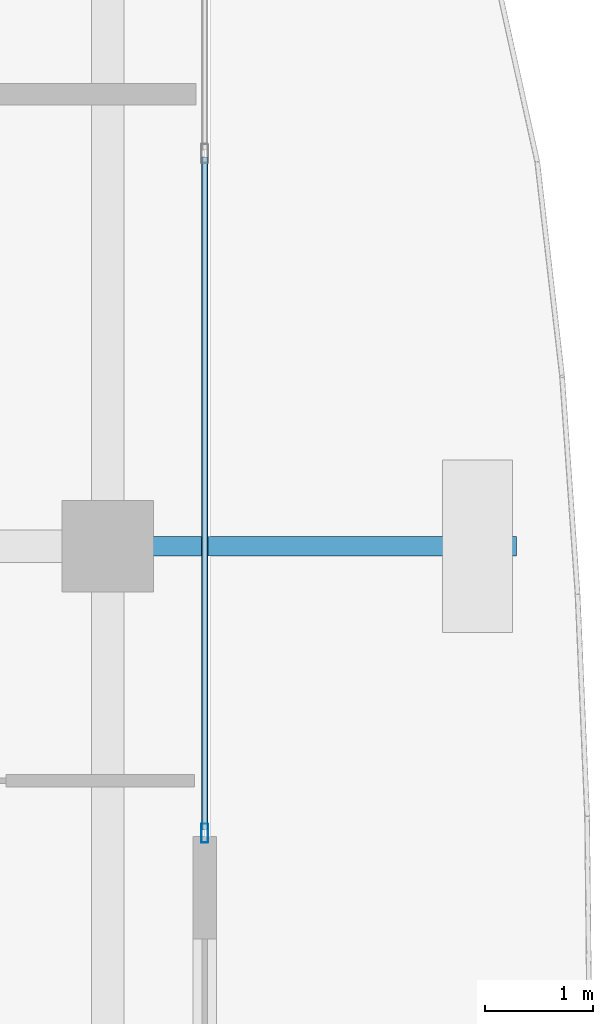
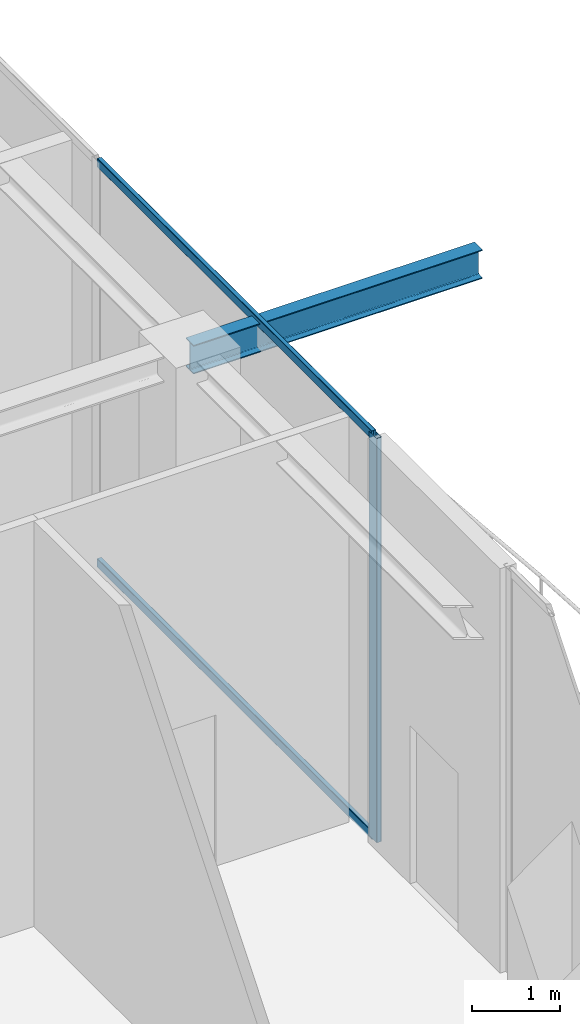
# One storey, part 16 of 38: 3 members, 1 beam, 1 element without a shape of its own.
"""IFC4 building model written with IfcOpenShell, lengths in metres."""

from ifc_helpers import new_model, si_unit, direction, frame, origin, origin_2d, place, context, subcontext, project, spatial, hollow_rectangle, i_section, extrude, source, transform, mapped, material, layer, layer_set, material_profile, profile_set, type_object, element, aggregate, save


model = new_model("IFC4")

# Units and contexts
model_context = context("Model", 3, precision=1e-05, world=origin(), true_north=direction((0.0, 1.0)))
body_context = subcontext(model_context, "Body", "Model", "MODEL_VIEW")
ifc_project = project(units=[si_unit("LENGTHUNIT", "METRE"), si_unit("AREAUNIT", "SQUARE_METRE"), si_unit("VOLUMEUNIT", "CUBIC_METRE"), si_unit("PLANEANGLEUNIT", "RADIAN"), si_unit("MASSUNIT", "GRAM", prefix="KILO")], contexts=[model_context])

# Site, building, storey
site_placement = place(None, origin())
site = spatial("IfcSite", under=ifc_project, at=site_placement, CompositionType="ELEMENT")
building_placement = place(site_placement, origin())
building = spatial("IfcBuilding", under=site, at=building_placement, Name="Serunith Strait Residences", CompositionType="ELEMENT")
storey_placement = place(building_placement, frame((0.0, 0.0, 342.050048828125)))
storey = spatial("IfcBuildingStorey", under=building, at=storey_placement, Name="L85", CompositionType="ELEMENT", Elevation=342.050048828125)

# Beam
ifc_material_1 = material(Name="Steel S355J2", Category="steel")
ifc_material_profile_1 = material_profile(ifc_material_1, i_section(OverallWidth=0.179931640625, OverallDepth=0.39990234375, WebThickness=0.008544921875, FlangeThickness=0.013427734375, FilletRadius=0.02099609375, at=origin_2d()), Name="IPE 400")
ifc_profile_set_1 = profile_set([ifc_material_profile_1], Name="Steel S355J2")
beam_type = type_object("IfcBeamType", Name="BM-IPE400", PredefinedType="JOIST", material=ifc_profile_set_1)
shared_shape_1 = source(origin(), body_context, "Body", "SweptSolid", [
    extrude(i_section(OverallWidth=0.179931640625, OverallDepth=0.39990234375, WebThickness=0.008544921875, FlangeThickness=0.013427734375, FilletRadius=0.02099609375, at=origin_2d()), origin(), (0.0, 0.0, 1.0), 3.7998046875),
])
beam_placement = place(storey_placement, frame((53.10009765625, 29.39990234375, 5.406982421875), z_axis=(1.0, 0.0, 0.0), x_axis=(0.0, 1.0, 0.0)))
element("IfcBeam", 1, at=beam_placement, inside=storey, type_object=beam_type, Name="L86 Cantilevered Balcony Rib TC-E3", PredefinedType="JOIST", context=body_context, shape_type="MappedRepresentation", body=[
    mapped(shared_shape_1, transform((0.0, 0.0, 0.0), scale=1.0)),
])

# Curtain wall, members
ifc_material_2 = material(Name="Brushed Stainless-Silver Aluminium", Category="aluminium")
ifc_layer = layer(ifc_material_2, 0.199951171875, Name="Brushed Stainless-Silver Aluminium")
ifc_layer_set = layer_set([ifc_layer], Name="Brushed Stainless-Silver Aluminium")
curtain_wall_type = type_object("IfcCurtainWallType", Name="CW-SYS5", PredefinedType="NOTDEFINED", material=ifc_layer_set)
curtain_wall_placement = place(storey_placement, origin())
curtain_wall = element("IfcCurtainWall", 2, at=curtain_wall_placement, inside=storey, type_object=curtain_wall_type, Name="L85 E Unitised Fritted Curtain Wall", PredefinedType="NOTDEFINED")
ifc_material_profile_2 = material_profile(ifc_material_2, hollow_rectangle(XDim=0.06005859375, YDim=0.1201171875, WallThickness=0.00341796875, InnerFilletRadius=0.00537109375, OuterFilletRadius=0.0087890625, at=origin_2d()), Name="ALU 120x60x3.5")
ifc_profile_set_2 = profile_set([ifc_material_profile_2], Name="Brushed Stainless-Silver Aluminium")
member_type_1 = type_object("IfcMemberType", Name="CW-SYS5-TRAN", PredefinedType="USERDEFINED", material=ifc_profile_set_2)
shared_shape_2 = source(origin(), body_context, "Body", "SweptSolid", [
    extrude(hollow_rectangle(XDim=0.06005859375, YDim=0.1201171875, WallThickness=0.00341796875, InnerFilletRadius=0.00537109375, OuterFilletRadius=0.0087890625, at=origin_2d()), origin(), (0.0, 0.0, 1.0), 6.252685546875),
])
member_1_placement = place(storey_placement, frame((54.0, 26.764892578125, 0.030029296875), z_axis=(0.0, 1.0, 0.0), x_axis=(-1.0, 0.0, 0.0)))
member_1 = element("IfcMember", 3, at=member_1_placement, type_object=member_type_1, Name="CW-5 transom 1.1", ObjectType="TRANSOM", PredefinedType="USERDEFINED", context=body_context, shape_type="MappedRepresentation", body=[
    mapped(shared_shape_2, transform((0.0, 0.0, 0.0), scale=1.0)),
])
member_2_placement = place(storey_placement, frame((54.0, 26.764892578125, 5.594970703125), z_axis=(0.0, 1.0, 0.0), x_axis=(-1.0, 0.0, 0.0)))
member_2 = element("IfcMember", 4, at=member_2_placement, type_object=member_type_1, Name="CW-5 transom 1.2", ObjectType="TRANSOM", PredefinedType="USERDEFINED", context=body_context, shape_type="MappedRepresentation", body=[
    mapped(shared_shape_2, transform((0.0, 0.0, 0.0), scale=1.0)),
])
ifc_material_profile_3 = material_profile(ifc_material_2, hollow_rectangle(XDim=0.06494140625, YDim=0.179931640625, WallThickness=0.00341796875, InnerFilletRadius=0.00537109375, OuterFilletRadius=0.0087890625, at=origin_2d()), Name="ALU 180x65x3.5")
ifc_profile_set_3 = profile_set([ifc_material_profile_3], Name="Brushed Stainless-Silver Aluminium")
member_type_2 = type_object("IfcMemberType", Name="CW-SYS5-MULL", PredefinedType="MULLION", material=ifc_profile_set_3)
shared_shape_3 = source(origin(), body_context, "Body", "SweptSolid", [
    extrude(hollow_rectangle(XDim=0.06494140625, YDim=0.179931640625, WallThickness=0.00341796875, InnerFilletRadius=0.00537109375, OuterFilletRadius=0.0087890625, at=origin_2d()), origin(), (0.0, 0.0, 1.0), 5.625),
])
member_3_placement = place(storey_placement, frame((54.0, 26.732421875, 0.0), z_axis=(0.0, 0.0, 1.0), x_axis=(-1.0, 0.0, 0.0)))
member_3 = element("IfcMember", 5, at=member_3_placement, type_object=member_type_2, Name="CW-5 mullion 1", PredefinedType="MULLION", context=body_context, shape_type="MappedRepresentation", body=[
    mapped(shared_shape_3, transform((0.0, 0.0, 0.0), scale=1.0)),
])
aggregate(curtain_wall, [member_3, member_1, member_2])

save(model, "model.ifc")
